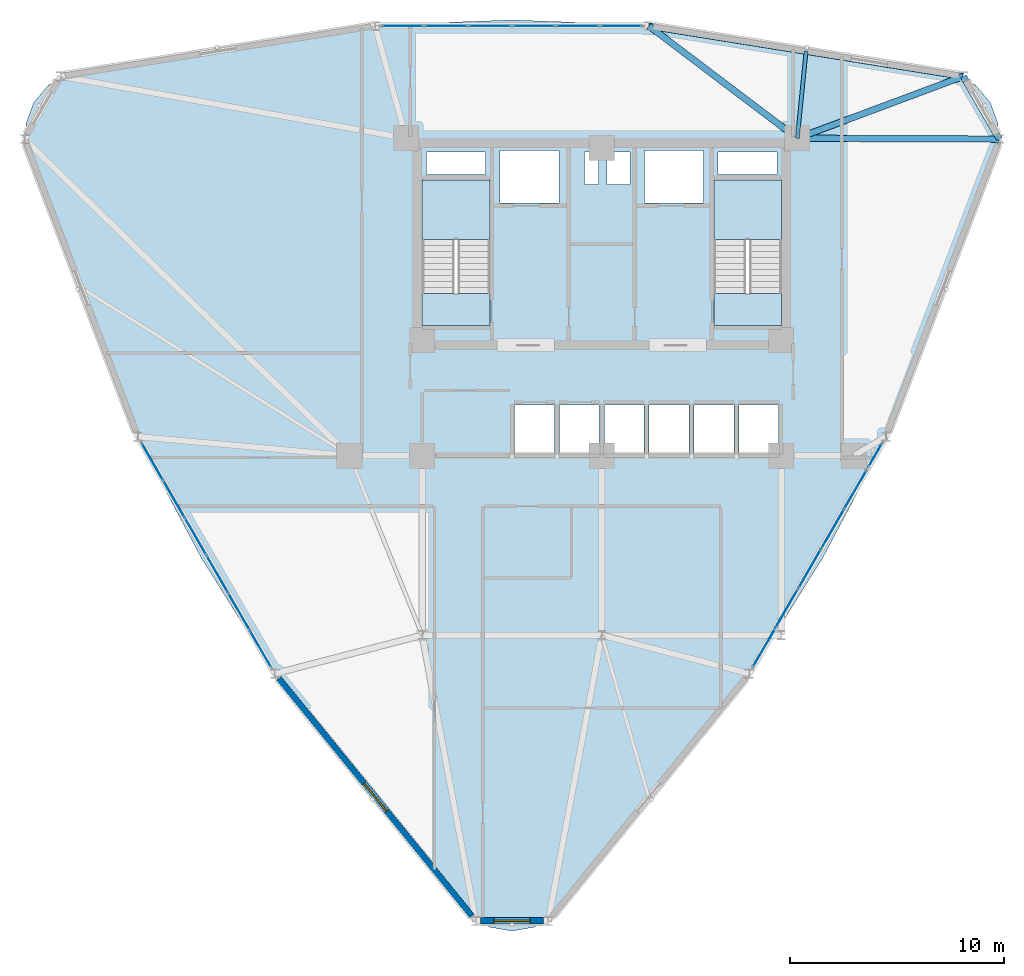
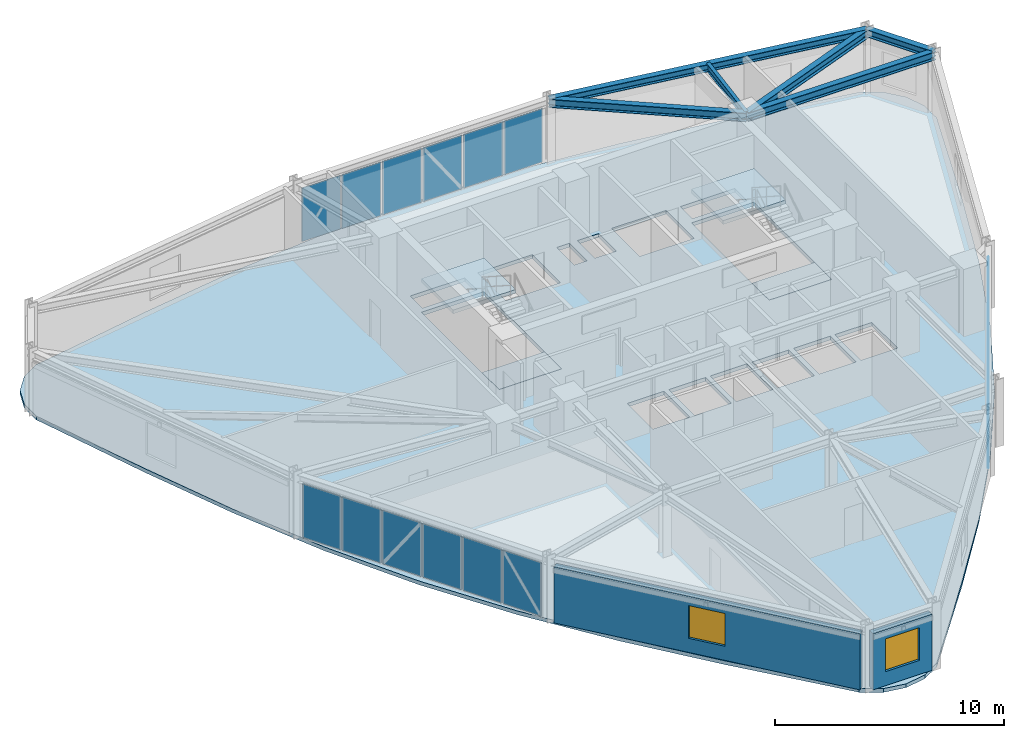
# One storey, part 9 of 15: 18 plates, 6 beams, 5 slabs, 2 walls, 2 windows, 2 openings, 6 elements without a shape of their own.
"""IFC4 building model written with IfcOpenShell, lengths in metres."""

from ifc_helpers import new_model, si_unit, derived_unit, direction, frame, frame_2d, origin, origin_2d, place, context, subcontext, project, spatial, polyline, rectangle, i_section, outline, extrude, source, transform, mapped, material, layer, layer_set, material_profile, profile_set, type_object, element, fill, aggregate, save


model = new_model("IFC4")

# Units and contexts
model_context = context("Model", 3, precision=1e-05, world=origin(), true_north=direction((0.0, 1.0)))
body_context = subcontext(model_context, "Body", "Model", "MODEL_VIEW")
ifc_project = project(units=[si_unit("LENGTHUNIT", "METRE"), si_unit("AREAUNIT", "SQUARE_METRE"), si_unit("VOLUMEUNIT", "CUBIC_METRE"), si_unit("PLANEANGLEUNIT", "RADIAN"), si_unit("MASSUNIT", "GRAM", prefix="KILO"), derived_unit("THERMALTRANSMITTANCEUNIT", [(si_unit("POWERUNIT", "WATT"), 1), (si_unit("LENGTHUNIT", "METRE"), -2), (si_unit("THERMODYNAMICTEMPERATUREUNIT", "KELVIN"), -1)])], contexts=[model_context])

# Site, building, storey
site_placement = place(None, origin())
site = spatial("IfcSite", under=ifc_project, at=site_placement, CompositionType="ELEMENT")
building_placement = place(site_placement, origin())
building = spatial("IfcBuilding", under=site, at=building_placement, Name="Korsvarv Bourse and Concert Hall", CompositionType="ELEMENT")
storey_placement = place(building_placement, frame((0.0, 0.0, 161.39990234375)))
storey = spatial("IfcBuildingStorey", under=building, at=storey_placement, Name="L41", CompositionType="ELEMENT", Elevation=161.39990234375)

# Beams
ifc_material_1 = material(Name="Steel S355", Category="steel")
ifc_material_profile_1 = material_profile(ifc_material_1, i_section(OverallWidth=0.300048828125, OverallDepth=0.39990234375, WebThickness=0.013427734375, FlangeThickness=0.02392578125, FilletRadius=0.02099609375, at=origin_2d()), Name="HEB 400")
ifc_profile_set_1 = profile_set([ifc_material_profile_1], Name="Steel S355")
beam_type_1 = type_object("IfcBeamType", Name="BM-HEB400", PredefinedType="SPANDREL", material=ifc_profile_set_1)
shared_shape_1 = source(origin(), body_context, "Body", "SweptSolid", [
    extrude(i_section(OverallWidth=0.300048828125, OverallDepth=0.39990234375, WebThickness=0.013427734375, FlangeThickness=0.02392578125, FilletRadius=0.02099609375, at=origin_2d()), origin(), (0.0, 0.0, 1.0), 3.391357421875),
])
beam_1_placement = place(storey_placement, frame((54.6142578125, 47.2138671875, 3.2001953125), z_axis=(-0.499971721724, 0.866041729639, 0.0), x_axis=(-0.866041729639, -0.499971721724, 0.0)))
element("IfcBeam", 1, at=beam_1_placement, inside=storey, type_object=beam_type_1, Name="L41 beam B-09", PredefinedType="SPANDREL", context=body_context, shape_type="MappedRepresentation", body=[
    mapped(shared_shape_1, transform((0.0, 0.0, 0.0), scale=1.0)),
])
shared_shape_2 = source(origin(), body_context, "Body", "SweptSolid", [
    extrude(i_section(OverallWidth=0.300048828125, OverallDepth=0.39990234375, WebThickness=0.013427734375, FlangeThickness=0.02392578125, FilletRadius=0.02099609375, at=origin_2d()), origin(), (0.0, 0.0, 1.0), 14.90478515625),
])
beam_2_placement = place(storey_placement, frame((52.918701171875, 50.15087890625, 3.2001953125), z_axis=(-0.987420487458, 0.158116352567, 0.0), x_axis=(-0.158116352567, -0.987420487458, 0.0)))
element("IfcBeam", 2, at=beam_2_placement, inside=storey, type_object=beam_type_1, Name="L41 beam B-09", PredefinedType="SPANDREL", context=body_context, shape_type="MappedRepresentation", body=[
    mapped(shared_shape_2, transform((0.0, 0.0, 0.0), scale=1.0)),
])
ifc_material_profile_2 = material_profile(ifc_material_1, i_section(OverallWidth=0.300048828125, OverallDepth=0.449951171875, WebThickness=0.013916015625, FlangeThickness=0.02587890625, FilletRadius=0.02099609375, at=origin_2d()), Name="HEB 450")
ifc_profile_set_2 = profile_set([ifc_material_profile_2], Name="Steel S355")
beam_type_2 = type_object("IfcBeamType", Name="BM-HEB450", PredefinedType="SPANDREL", material=ifc_profile_set_2)
shared_shape_3 = source(origin(), body_context, "Body", "SweptSolid", [
    extrude(i_section(OverallWidth=0.300048828125, OverallDepth=0.449951171875, WebThickness=0.013916015625, FlangeThickness=0.02587890625, FilletRadius=0.02099609375, at=origin_2d()), origin(), (0.0, 0.0, 1.0), 9.46435546875),
])
beam_3_placement = place(storey_placement, frame((54.6142578125, 47.2138671875, 3.175048828125), z_axis=(-0.999992712363, 0.003817750643, 0.0), x_axis=(-0.003817750643, -0.999992712363, 0.0)))
element("IfcBeam", 3, at=beam_3_placement, inside=storey, type_object=beam_type_2, Name="L41 beam B-08", PredefinedType="SPANDREL", context=body_context, shape_type="MappedRepresentation", body=[
    mapped(shared_shape_3, transform((0.0, 0.0, 0.0), scale=1.0)),
])
shared_shape_4 = source(origin(), body_context, "Body", "SweptSolid", [
    extrude(i_section(OverallWidth=0.300048828125, OverallDepth=0.449951171875, WebThickness=0.013916015625, FlangeThickness=0.02587890625, FilletRadius=0.02099609375, at=origin_2d()), origin(), (0.0, 0.0, 1.0), 8.292724609375),
])
beam_4_placement = place(storey_placement, frame((52.918701171875, 50.15087890625, 3.175048828125), z_axis=(-0.936820676534, -0.349809977014, 0.0), x_axis=(0.349809977014, -0.936820676534, 0.0)))
element("IfcBeam", 4, at=beam_4_placement, inside=storey, type_object=beam_type_2, Name="L41 beam B-08", PredefinedType="SPANDREL", context=body_context, shape_type="MappedRepresentation", body=[
    mapped(shared_shape_4, transform((0.0, 0.0, 0.0), scale=1.0)),
])
shared_shape_5 = source(origin(), body_context, "Body", "SweptSolid", [
    extrude(i_section(OverallWidth=0.300048828125, OverallDepth=0.449951171875, WebThickness=0.013916015625, FlangeThickness=0.02587890625, FilletRadius=0.02099609375, at=origin_2d()), origin(), (0.0, 0.0, 1.0), 8.71337890625),
])
beam_5_placement = place(storey_placement, frame((38.201416015625, 52.507568359375, 3.175048828125), z_axis=(0.797447559771, -0.603388257604, 0.0), x_axis=(0.603388257604, 0.797447559771, 0.0)))
element("IfcBeam", 5, at=beam_5_placement, inside=storey, type_object=beam_type_2, Name="L41 beam B-08", PredefinedType="SPANDREL", context=body_context, shape_type="MappedRepresentation", body=[
    mapped(shared_shape_5, transform((0.0, 0.0, 0.0), scale=1.0)),
])
ifc_material_profile_3 = material_profile(ifc_material_1, i_section(OverallWidth=0.179931640625, OverallDepth=0.39990234375, WebThickness=0.008544921875, FlangeThickness=0.013427734375, FilletRadius=0.02099609375, at=origin_2d()), Name="IPE 400")
ifc_profile_set_3 = profile_set([ifc_material_profile_3], Name="Steel S355")
beam_type_3 = type_object("IfcBeamType", Name="BM-IPE400", PredefinedType="JOIST", material=ifc_profile_set_3)
shared_shape_6 = source(origin(), body_context, "Body", "SweptSolid", [
    extrude(i_section(OverallWidth=0.179931640625, OverallDepth=0.39990234375, WebThickness=0.008544921875, FlangeThickness=0.013427734375, FilletRadius=0.02099609375, at=origin_2d()), origin(), (0.0, 0.0, 1.0), 4.099609375),
])
beam_6_placement = place(storey_placement, frame((45.56005859375, 51.3291015625, 3.2001953125), z_axis=(-0.100046151544, -0.994982797621, 0.0), x_axis=(0.994982797621, -0.100046151544, 0.0)))
element("IfcBeam", 6, at=beam_6_placement, inside=storey, type_object=beam_type_3, Name="L41 beam J-05", PredefinedType="JOIST", context=body_context, shape_type="MappedRepresentation", body=[
    mapped(shared_shape_6, transform((0.0, 0.0, 0.0), scale=1.0)),
])

# Slabs
ifc_material_2 = material(Name="Precast concrete C45/55", Category="concrete")
ifc_layer_1 = layer(ifc_material_2, 0.199951171875)
ifc_layer_set_1 = layer_set([ifc_layer_1], Name="Precast concrete C45/55")
slab_type_1 = type_object("IfcSlabType", Name="SLB-FLND-T", PredefinedType="LANDING", material=ifc_layer_set_1)
slab_1_placement = place(storey_placement, frame((0.0, 0.0, -0.199951171875)))
element("IfcSlab", 7, at=slab_1_placement, inside=storey, type_object=slab_type_1, Name="L41 Stair ST-T1 Floor Landing Slab", PredefinedType="LANDING", context=body_context, shape_type="SweptSolid", body=[
    extrude(outline(polyline([(30.760009765625, 38.5), (30.760009765625, 40.0), (27.60009765625, 40.0), (27.60009765625, 38.5), (30.760009765625, 38.5)])), origin(), (0.0, 0.0, 1.0), 0.199951171875),
])
slab_2_placement = place(storey_placement, frame((0.0, 0.0, -0.199951171875)))
element("IfcSlab", 8, at=slab_2_placement, inside=storey, type_object=slab_type_1, Name="L41 Stair ST-T2 Floor Landing Slab", PredefinedType="LANDING", context=body_context, shape_type="SweptSolid", body=[
    extrude(outline(polyline([(44.39990234375, 38.5), (44.39990234375, 40.0), (41.239990234375, 40.0), (41.239990234375, 38.5), (44.39990234375, 38.5)])), origin(), (0.0, 0.0, 1.0), 0.199951171875),
])

# Stair, slab
stair_type = type_object("IfcStairType", Name="STR-TYPE-04", PredefinedType="HALF_TURN_STAIR", material=ifc_material_2)
stair_1_placement = place(storey_placement, origin())
stair_1 = element("IfcStair", 9, at=stair_1_placement, inside=storey, type_object=stair_type, Name="L41 Tower West Exit Stair ST-T1", PredefinedType="HALF_TURN_STAIR")
ifc_layer_2 = layer(ifc_material_2, 0.199951171875)
ifc_layer_set_2 = layer_set([ifc_layer_2], Name="Precast concrete C45/55")
slab_type_2 = type_object("IfcSlabType", Name="SLB-ST-LND", PredefinedType="LANDING", material=ifc_layer_set_2)
slab_3_placement = place(storey_placement, frame((0.0, 0.0, 1.60009765625)))
slab_3 = element("IfcSlab", 10, at=slab_3_placement, type_object=slab_type_2, Name="ST-T1 landing 1", PredefinedType="LANDING", context=body_context, shape_type="SweptSolid", body=[
    extrude(outline(polyline([(30.760009765625, 42.52001953125), (30.760009765625, 45.300048828125), (27.60009765625, 45.300048828125), (27.60009765625, 42.52001953125), (30.760009765625, 42.52001953125)])), origin(), (0.0, 0.0, 1.0), 0.199951171875),
])
aggregate(stair_1, [slab_3])

stair_2_placement = place(storey_placement, origin())
stair_2 = element("IfcStair", 11, at=stair_2_placement, inside=storey, type_object=stair_type, Name="L41 Tower East Exit Stair ST-T2", PredefinedType="HALF_TURN_STAIR")
slab_4_placement = place(storey_placement, frame((0.0, 0.0, 1.60009765625)))
slab_4 = element("IfcSlab", 12, at=slab_4_placement, type_object=slab_type_2, Name="ST-T2 landing 1", PredefinedType="LANDING", context=body_context, shape_type="SweptSolid", body=[
    extrude(outline(polyline([(44.39990234375, 42.52001953125), (44.39990234375, 45.300048828125), (41.239990234375, 45.300048828125), (41.239990234375, 42.52001953125), (44.39990234375, 42.52001953125)])), origin(), (0.0, 0.0, 1.0), 0.199951171875),
])
aggregate(stair_2, [slab_4])

# Slab
ifc_material_3 = material(Name="Concrete C45/55", Category="concrete")
ifc_layer_3 = layer(ifc_material_3, 0.199951171875)
ifc_layer_set_3 = layer_set([ifc_layer_3], Name="Concrete C45/55")
slab_type_3 = type_object("IfcSlabType", Name="SLB-TW2", PredefinedType="FLOOR", material=ifc_layer_set_3)
slab_5_placement = place(storey_placement, frame((0.0, 0.0, -0.199951171875)))
element("IfcSlab", 13, at=slab_5_placement, inside=storey, type_object=slab_type_3, Name="L41 tower structural floor slab", PredefinedType="FLOOR", context=body_context, shape_type="SweptSolid", body=[
    extrude(outline(polyline([(54.127197265625, 45.72216796875), (52.434326171875, 41.0146484375), (50.63232421875, 36.395263671875), (48.622314453125, 31.916015625), (46.336669921875, 27.607421875), (43.748046875, 23.473388671875), (40.8740234375, 19.4931640625), (37.7744140625, 15.622802734375), (34.544189453125, 11.802978515625), (34.5419921875, 11.80029296875), (33.760986328125, 10.869873046875), (32.843505859375, 10.340087890625), (31.800048828125, 10.156005859375), (30.756591796875, 10.340087890625), (29.839111328125, 10.869873046875), (29.05810546875, 11.80029296875), (29.055908203125, 11.802978515625), (25.82568359375, 15.622802734375), (22.72607421875, 19.4931640625), (19.851806640625, 23.473388671875), (17.263427734375, 27.607421875), (14.977783203125, 31.916015625), (12.967529296875, 36.395263671875), (11.16552734375, 41.0146484375), (9.47265625, 45.72216796875), (9.471435546875, 45.725341796875), (9.05615234375, 46.86669921875), (9.05615234375, 47.92626953125), (9.41845703125, 48.921875), (10.099609375, 49.733642578125), (11.01708984375, 50.263427734375), (12.21337890625, 50.474365234375), (12.216796875, 50.474853515625), (17.139892578125, 51.362548828125), (22.04150390625, 52.11181640625), (26.925537109375, 52.610595703125), (31.800048828125, 52.785400390625), (36.67431640625, 52.610595703125), (41.558349609375, 52.11181640625), (46.4599609375, 51.362548828125), (51.38330078125, 50.474853515625), (51.38671875, 50.474365234375), (52.5830078125, 50.263427734375), (53.50048828125, 49.733642578125), (54.181396484375, 48.921875), (54.5439453125, 47.92626953125), (54.5439453125, 46.86669921875), (54.12841796875, 45.725341796875), (54.127197265625, 45.72216796875)]), holes=[polyline([(30.760009765625, 38.5), (30.760009765625, 45.300048828125), (27.60009765625, 45.300048828125), (27.60009765625, 38.5), (30.760009765625, 38.5)]), polyline([(44.39990234375, 38.5), (44.39990234375, 45.300048828125), (41.239990234375, 45.300048828125), (41.239990234375, 38.5), (44.39990234375, 38.5)]), polyline([(31.239990234375, 44.219970703125), (34.0, 44.219970703125), (34.0, 46.679931640625), (31.239990234375, 46.679931640625), (31.239990234375, 44.219970703125)]), polyline([(38.0, 44.219970703125), (40.760009765625, 44.219970703125), (40.760009765625, 46.679931640625), (38.0, 46.679931640625), (38.0, 44.219970703125)]), polyline([(31.919921875, 32.52001953125), (33.780029296875, 32.52001953125), (33.780029296875, 34.780029296875), (31.919921875, 34.780029296875), (31.919921875, 32.52001953125)]), polyline([(34.02001953125, 32.52001953125), (35.8798828125, 32.52001953125), (35.8798828125, 34.780029296875), (34.02001953125, 34.780029296875), (34.02001953125, 32.52001953125)]), polyline([(36.1201171875, 32.52001953125), (37.97998046875, 32.52001953125), (37.97998046875, 34.780029296875), (36.1201171875, 34.780029296875), (36.1201171875, 32.52001953125)]), polyline([(38.219970703125, 32.52001953125), (40.080078125, 32.52001953125), (40.080078125, 34.780029296875), (38.219970703125, 34.780029296875), (38.219970703125, 32.52001953125)]), polyline([(40.320068359375, 32.52001953125), (42.179931640625, 32.52001953125), (42.179931640625, 34.780029296875), (40.320068359375, 34.780029296875), (40.320068359375, 32.52001953125)]), polyline([(42.419921875, 32.52001953125), (44.280029296875, 32.52001953125), (44.280029296875, 34.780029296875), (42.419921875, 34.780029296875), (42.419921875, 32.52001953125)]), polyline([(27.800048828125, 45.56005859375), (30.56005859375, 45.56005859375), (30.56005859375, 46.6201171875), (27.800048828125, 46.6201171875), (27.800048828125, 45.56005859375)]), polyline([(41.43994140625, 45.56005859375), (44.199951171875, 45.56005859375), (44.199951171875, 46.6201171875), (41.43994140625, 46.6201171875), (41.43994140625, 45.56005859375)]), polyline([(35.199951171875, 45.080078125), (35.840087890625, 45.080078125), (35.840087890625, 46.6201171875), (35.199951171875, 46.6201171875), (35.199951171875, 45.080078125)]), polyline([(36.239990234375, 45.080078125), (37.320068359375, 45.080078125), (37.320068359375, 46.6201171875), (36.239990234375, 46.6201171875), (36.239990234375, 45.080078125)])]), origin(), (0.0, 0.0, 1.0), 0.199951171875),
])

# Curtain wall, plates
ifc_material_4 = material(Name="Anodised aluminium and triple low-E glazing", Category="glass")
ifc_layer_4 = layer(ifc_material_4, 0.2099609375)
ifc_layer_set_4 = layer_set([ifc_layer_4], Name="Anodised aluminium and triple low-E glazing")
curtain_wall_type = type_object("IfcCurtainWallType", Name="CW-SYS-2", PredefinedType="NOTDEFINED", material=ifc_layer_set_4)
curtain_wall_1_placement = place(storey_placement, origin())
curtain_wall_1 = element("IfcCurtainWall", 14, at=curtain_wall_1_placement, inside=storey, type_object=curtain_wall_type, Name="L41 CW2 curtain wall CW-L41-F03", PredefinedType="NOTDEFINED")
ifc_material_5 = material(Name="Tempered triple insulated low-E architectural glass", Category="glass")
ifc_layer_5 = layer(ifc_material_5, 0.0380859375)
ifc_layer_set_5 = layer_set([ifc_layer_5], Name="Tempered triple insulated low-E architectural glass")
plate_type_1 = type_object("IfcPlateType", Name="CWP-VIS2", PredefinedType="CURTAIN_PANEL", material=ifc_layer_set_5)
shared_shape_7 = source(origin(), body_context, "Body", "SweptSolid", [
    extrude(rectangle(XDim=1.943603515625, YDim=0.0380859375, at=origin_2d()), origin(), (0.0, 0.0, 1.0), 2.8701171875),
])
plate_1_placement = place(storey_placement, frame((36.90380859375, 52.507568359375, 0.06494140625), z_axis=(0.0, 0.0, 1.0), x_axis=(-1.0, 0.0, 0.0)))
plate_1 = element("IfcPlate", 15, at=plate_1_placement, type_object=plate_type_1, Name="CW2 faceted panel 1.1", PredefinedType="CURTAIN_PANEL", context=body_context, shape_type="MappedRepresentation", body=[
    mapped(shared_shape_7, transform((0.0, 0.0, 0.0), scale=1.0)),
])
shared_shape_8 = source(origin(), body_context, "Body", "SweptSolid", [
    extrude(rectangle(XDim=1.978515625, YDim=0.0380859375, at=origin_2d()), origin(), (0.0, 0.0, 1.0), 2.8701171875),
])
plate_2_placement = place(storey_placement, frame((34.872802734375, 52.507568359375, 0.06494140625), z_axis=(0.0, 0.0, 1.0), x_axis=(-1.0, 0.0, 0.0)))
plate_2 = element("IfcPlate", 16, at=plate_2_placement, type_object=plate_type_1, Name="CW2 faceted panel 2.1", PredefinedType="CURTAIN_PANEL", context=body_context, shape_type="MappedRepresentation", body=[
    mapped(shared_shape_8, transform((0.0, 0.0, 0.0), scale=1.0)),
])
plate_3_placement = place(storey_placement, frame((30.775634765625, 52.507568359375, 0.06494140625), z_axis=(0.0, 0.0, 1.0), x_axis=(-1.0, 0.0, 0.0)))
plate_3 = element("IfcPlate", 17, at=plate_3_placement, type_object=plate_type_1, Name="CW2 faceted panel 4.1", PredefinedType="CURTAIN_PANEL", context=body_context, shape_type="MappedRepresentation", body=[
    mapped(shared_shape_8, transform((0.0, 0.0, 0.0), scale=1.0)),
])
plate_4_placement = place(storey_placement, frame((28.727294921875, 52.507568359375, 0.06494140625), z_axis=(0.0, 0.0, 1.0), x_axis=(-1.0, 0.0, 0.0)))
plate_4 = element("IfcPlate", 18, at=plate_4_placement, type_object=plate_type_1, Name="CW2 faceted panel 5.1", PredefinedType="CURTAIN_PANEL", context=body_context, shape_type="MappedRepresentation", body=[
    mapped(shared_shape_8, transform((0.0, 0.0, 0.0), scale=1.0)),
])
ifc_material_6 = material(Name="Insulated spandrel glass", Category="glass")
ifc_layer_6 = layer(ifc_material_6, 0.031982421875)
ifc_layer_set_6 = layer_set([ifc_layer_6], Name="Insulated spandrel glass")
plate_type_2 = type_object("IfcPlateType", Name="CWP-SPD1", PredefinedType="CURTAIN_PANEL", material=ifc_layer_set_6)
shared_shape_9 = source(origin(), body_context, "Body", "SweptSolid", [
    extrude(rectangle(XDim=1.978515625, YDim=0.031982421875, at=origin_2d()), origin(), (0.0, 0.0, 1.0), 2.8701171875),
])
plate_5_placement = place(storey_placement, frame((32.82421875, 52.507568359375, 0.06494140625), z_axis=(0.0, 0.0, 1.0), x_axis=(-1.0, 0.0, 0.0)))
plate_5 = element("IfcPlate", 19, at=plate_5_placement, type_object=plate_type_2, Name="CW2 spandrel shadow-box panel 3.1", PredefinedType="CURTAIN_PANEL", context=body_context, shape_type="MappedRepresentation", body=[
    mapped(shared_shape_9, transform((0.0, 0.0, 0.0), scale=1.0)),
])
shared_shape_10 = source(origin(), body_context, "Body", "SweptSolid", [
    extrude(rectangle(XDim=1.943603515625, YDim=0.031982421875, at=origin_2d()), origin(), (0.0, 0.0, 1.0), 2.8701171875),
])
plate_6_placement = place(storey_placement, frame((26.6962890625, 52.507568359375, 0.06494140625), z_axis=(0.0, 0.0, 1.0), x_axis=(-1.0, 0.0, 0.0)))
plate_6 = element("IfcPlate", 20, at=plate_6_placement, type_object=plate_type_2, Name="CW2 spandrel shadow-box panel 6.1", PredefinedType="CURTAIN_PANEL", context=body_context, shape_type="MappedRepresentation", body=[
    mapped(shared_shape_10, transform((0.0, 0.0, 0.0), scale=1.0)),
])
aggregate(curtain_wall_1, [plate_1, plate_2, plate_5, plate_3, plate_4, plate_6])

curtain_wall_2_placement = place(storey_placement, origin())
curtain_wall_2 = element("IfcCurtainWall", 21, at=curtain_wall_2_placement, inside=storey, type_object=curtain_wall_type, Name="L41 CW2 curtain wall CW-L41-F07", PredefinedType="NOTDEFINED")
shared_shape_11 = source(origin(), body_context, "Body", "SweptSolid", [
    extrude(rectangle(XDim=1.92578125, YDim=0.0380859375, at=origin_2d()), origin(), (0.0, 0.0, 1.0), 2.8701171875),
])
plate_7_placement = place(storey_placement, frame((14.97412109375, 32.1279296875, 0.06494140625), z_axis=(0.0, 0.0, 1.0), x_axis=(0.500002343759, -0.86602405061, 0.0)))
plate_7 = element("IfcPlate", 22, at=plate_7_placement, type_object=plate_type_1, Name="CW2 faceted panel 1.1", PredefinedType="CURTAIN_PANEL", context=body_context, shape_type="MappedRepresentation", body=[
    mapped(shared_shape_11, transform((0.0, 0.0, 0.0), scale=1.0)),
])
shared_shape_12 = source(origin(), body_context, "Body", "SweptSolid", [
    extrude(rectangle(XDim=1.9609375, YDim=0.0380859375, at=origin_2d()), origin(), (0.0, 0.0, 1.0), 2.8701171875),
])
plate_8_placement = place(storey_placement, frame((15.98095703125, 30.384521484375, 0.06494140625), z_axis=(0.0, 0.0, 1.0), x_axis=(0.500002343759, -0.86602405061, 0.0)))
plate_8 = element("IfcPlate", 23, at=plate_8_placement, type_object=plate_type_1, Name="CW2 faceted panel 2.1", PredefinedType="CURTAIN_PANEL", context=body_context, shape_type="MappedRepresentation", body=[
    mapped(shared_shape_12, transform((0.0, 0.0, 0.0), scale=1.0)),
])
plate_9_placement = place(storey_placement, frame((18.01171875, 26.86669921875, 0.06494140625), z_axis=(0.0, 0.0, 1.0), x_axis=(0.500002343759, -0.86602405061, 0.0)))
plate_9 = element("IfcPlate", 24, at=plate_9_placement, type_object=plate_type_1, Name="CW2 faceted panel 4.1", PredefinedType="CURTAIN_PANEL", context=body_context, shape_type="MappedRepresentation", body=[
    mapped(shared_shape_12, transform((0.0, 0.0, 0.0), scale=1.0)),
])
plate_10_placement = place(storey_placement, frame((19.02734375, 25.10791015625, 0.06494140625), z_axis=(0.0, 0.0, 1.0), x_axis=(0.500002343759, -0.86602405061, 0.0)))
plate_10 = element("IfcPlate", 25, at=plate_10_placement, type_object=plate_type_1, Name="CW2 faceted panel 5.1", PredefinedType="CURTAIN_PANEL", context=body_context, shape_type="MappedRepresentation", body=[
    mapped(shared_shape_12, transform((0.0, 0.0, 0.0), scale=1.0)),
])
shared_shape_13 = source(origin(), body_context, "Body", "SweptSolid", [
    extrude(rectangle(XDim=1.9609375, YDim=0.031982421875, at=origin_2d()), origin(), (0.0, 0.0, 1.0), 2.8701171875),
])
plate_11_placement = place(storey_placement, frame((16.996337890625, 28.62548828125, 0.06494140625), z_axis=(0.0, 0.0, 1.0), x_axis=(0.500002343759, -0.86602405061, 0.0)))
plate_11 = element("IfcPlate", 26, at=plate_11_placement, type_object=plate_type_2, Name="CW2 spandrel shadow-box panel 3.1", PredefinedType="CURTAIN_PANEL", context=body_context, shape_type="MappedRepresentation", body=[
    mapped(shared_shape_13, transform((0.0, 0.0, 0.0), scale=1.0)),
])
shared_shape_14 = source(origin(), body_context, "Body", "SweptSolid", [
    extrude(rectangle(XDim=1.92578125, YDim=0.031982421875, at=origin_2d()), origin(), (0.0, 0.0, 1.0), 2.8701171875),
])
plate_12_placement = place(storey_placement, frame((20.033935546875, 23.3642578125, 0.06494140625), z_axis=(0.0, 0.0, 1.0), x_axis=(0.500002343759, -0.86602405061, 0.0)))
plate_12 = element("IfcPlate", 27, at=plate_12_placement, type_object=plate_type_2, Name="CW2 spandrel shadow-box panel 6.1", PredefinedType="CURTAIN_PANEL", context=body_context, shape_type="MappedRepresentation", body=[
    mapped(shared_shape_14, transform((0.0, 0.0, 0.0), scale=1.0)),
])
aggregate(curtain_wall_2, [plate_7, plate_8, plate_11, plate_9, plate_10, plate_12])

curtain_wall_3_placement = place(storey_placement, origin())
curtain_wall_3 = element("IfcCurtainWall", 28, at=curtain_wall_3_placement, inside=storey, type_object=curtain_wall_type, Name="L41 CW2 curtain wall CW-L41-F11-1", PredefinedType="NOTDEFINED")
shared_shape_15 = source(origin(), body_context, "Body", "SweptSolid", [
    extrude(rectangle(XDim=2.0380859375, YDim=0.0380859375, at=origin_2d()), origin(), (0.0, 0.0, 1.0), 2.8701171875),
])
plate_13_placement = place(storey_placement, frame((43.59423828125, 23.4130859375, 0.06494140625), z_axis=(0.0, 0.0, 1.0), x_axis=(0.499998182496, 0.866026453118, 0.0)))
plate_13 = element("IfcPlate", 29, at=plate_13_placement, type_object=plate_type_1, Name="CW2 faceted panel 1.1", PredefinedType="CURTAIN_PANEL", context=body_context, shape_type="MappedRepresentation", body=[
    mapped(shared_shape_15, transform((0.0, 0.0, 0.0), scale=1.0)),
])
plate_14_placement = place(storey_placement, frame((47.863037109375, 30.806884765625, 0.06494140625), z_axis=(0.0, 0.0, 1.0), x_axis=(0.499998182496, 0.866026453118, 0.0)))
plate_14 = element("IfcPlate", 30, at=plate_14_placement, type_object=plate_type_1, Name="CW2 faceted panel 5.1", PredefinedType="CURTAIN_PANEL", context=body_context, shape_type="MappedRepresentation", body=[
    mapped(shared_shape_15, transform((0.0, 0.0, 0.0), scale=1.0)),
])
shared_shape_16 = source(origin(), body_context, "Body", "SweptSolid", [
    extrude(rectangle(XDim=2.0732421875, YDim=0.0380859375, at=origin_2d()), origin(), (0.0, 0.0, 1.0), 2.8701171875),
])
plate_15_placement = place(storey_placement, frame((44.656982421875, 25.25390625, 0.06494140625), z_axis=(0.0, 0.0, 1.0), x_axis=(0.499998182496, 0.866026453118, 0.0)))
plate_15 = element("IfcPlate", 31, at=plate_15_placement, type_object=plate_type_1, Name="CW2 faceted panel 2.1", PredefinedType="CURTAIN_PANEL", context=body_context, shape_type="MappedRepresentation", body=[
    mapped(shared_shape_16, transform((0.0, 0.0, 0.0), scale=1.0)),
])
plate_16_placement = place(storey_placement, frame((46.800048828125, 28.9658203125, 0.06494140625), z_axis=(0.0, 0.0, 1.0), x_axis=(0.499998182496, 0.866026453118, 0.0)))
plate_16 = element("IfcPlate", 32, at=plate_16_placement, type_object=plate_type_1, Name="CW2 faceted panel 4.1", PredefinedType="CURTAIN_PANEL", context=body_context, shape_type="MappedRepresentation", body=[
    mapped(shared_shape_16, transform((0.0, 0.0, 0.0), scale=1.0)),
])
shared_shape_17 = source(origin(), body_context, "Body", "SweptSolid", [
    extrude(rectangle(XDim=2.0732421875, YDim=0.031982421875, at=origin_2d()), origin(), (0.0, 0.0, 1.0), 2.8701171875),
])
plate_17_placement = place(storey_placement, frame((45.728515625, 27.10986328125, 0.06494140625), z_axis=(0.0, 0.0, 1.0), x_axis=(0.499998182496, 0.866026453118, 0.0)))
plate_17 = element("IfcPlate", 33, at=plate_17_placement, type_object=plate_type_2, Name="CW2 spandrel shadow-box panel 3.1", PredefinedType="CURTAIN_PANEL", context=body_context, shape_type="MappedRepresentation", body=[
    mapped(shared_shape_17, transform((0.0, 0.0, 0.0), scale=1.0)),
])
aggregate(curtain_wall_3, [plate_13, plate_15, plate_17, plate_16, plate_14])

# Curtain wall, plate
curtain_wall_4_placement = place(storey_placement, origin())
curtain_wall_4 = element("IfcCurtainWall", 34, at=curtain_wall_4_placement, inside=storey, type_object=curtain_wall_type, Name="L41 CW2 curtain wall CW-L41-F11-2", PredefinedType="NOTDEFINED")
shared_shape_18 = source(origin(), body_context, "Body", "SweptSolid", [
    extrude(rectangle(XDim=1.24462890625, YDim=0.031982421875, at=origin_2d()), origin(), (0.0, 0.0, 1.0), 2.8701171875),
])
plate_18_placement = place(storey_placement, frame((48.796142578125, 32.423095703125, 0.06494140625), z_axis=(0.0, 0.0, 1.0), x_axis=(0.500030891693, 0.866007567723, 0.0)))
plate_18 = element("IfcPlate", 35, at=plate_18_placement, type_object=plate_type_2, Name="CW2 spandrel shadow-box panel 1.1", PredefinedType="CURTAIN_PANEL", context=body_context, shape_type="MappedRepresentation", body=[
    mapped(shared_shape_18, transform((0.0, 0.0, 0.0), scale=1.0)),
])
aggregate(curtain_wall_4, [plate_18])

# Wall, opening, window
ifc_material_7 = material(Name="Precast concrete C45/55 with terracotta rainscreen", Category="concrete")
ifc_layer_7 = layer(ifc_material_7, 0.300048828125)
ifc_layer_set_7 = layer_set([ifc_layer_7], Name="Precast concrete C45/55 with terracotta rainscreen")
wall_type_1 = type_object("IfcWallType", Name="WL-EXT-TC1", PredefinedType="SOLIDWALL", material=ifc_layer_set_7)
wall_1_placement = place(storey_placement, frame((30.315185546875, 10.63525390625, 0.0), z_axis=(0.0, 0.0, 1.0), x_axis=(1.0, 0.0, 0.0)))
wall_1 = element("IfcWall", 36, at=wall_1_placement, inside=storey, type_object=wall_type_1, Name="L41 terracotta exterior wall EW-L41-B09", PredefinedType="SOLIDWALL", context=body_context, shape_type="SweptSolid", body=[
    extrude(rectangle(XDim=2.969482421875, YDim=0.300048828125, at=frame_2d((1.48486328125, 0.0))), origin(), (0.0, 0.0, 1.0), 3.0),
])
opening_1_placement = place(wall_1_placement, frame((0.634765625, 0.0, 0.75)))
opening_1 = element("IfcOpeningElement", 37, at=opening_1_placement, cuts=wall_1, Name="Opening W-01", PredefinedType="OPENING", context=body_context, shape_type="SweptSolid", body=[
    extrude(rectangle(XDim=1.699951171875, YDim=1.75, at=frame_2d((0.85009765625, 0.875))), frame((0.0, 0.16015625, 0.0), z_axis=(0.0, -1.0, 0.0), x_axis=(1.0, 0.0, 0.0)), (0.0, 0.0, 1.0), 0.320068359375),
])
ifc_material_8 = material(Name="Thermally broken aluminium frame with triple low-E glass", Category="glass")
window_type = type_object("IfcWindowType", Name="WIN-TW1", PartitioningType="SINGLE_PANEL", PredefinedType="WINDOW", material=ifc_material_8)
window_1_placement = place(opening_1_placement, origin())
window_1 = element("IfcWindow", 38, at=window_1_placement, inside=storey, type_object=window_type, Name="L41 punched facade window W-01", OverallHeight=1.75, OverallWidth=1.699951171875, PartitioningType="SINGLE_PANEL", PredefinedType="WINDOW", context=body_context, shape_type="SweptSolid", body=[
    extrude(rectangle(XDim=1.699951171875, YDim=1.75, at=frame_2d((0.85009765625, 0.875))), frame((0.0, 0.030029296875, 0.0), z_axis=(0.0, -1.0, 0.0), x_axis=(1.0, 0.0, 0.0)), (0.0, 0.0, 1.0), 0.06005859375),
])
fill(opening_1, window_1)

ifc_material_9 = material(Name="Precast concrete C45/55 with fluted terracotta pier", Category="concrete")
ifc_layer_8 = layer(ifc_material_9, 0.280029296875)
ifc_layer_set_8 = layer_set([ifc_layer_8], Name="Precast concrete C45/55 with fluted terracotta pier")
wall_type_2 = type_object("IfcWallType", Name="WL-EXT-TC2", PredefinedType="SOLIDWALL", material=ifc_layer_set_8)
wall_2_placement = place(storey_placement, frame((20.885498046875, 21.979736328125, 0.0), z_axis=(0.0, 0.0, 1.0), x_axis=(0.630659963665, -0.776059282678, 0.0)))
wall_2 = element("IfcWall", 39, at=wall_2_placement, inside=storey, type_object=wall_type_2, Name="L41 terracotta exterior wall EW-L41-B08", PredefinedType="SOLIDWALL", context=body_context, shape_type="SweptSolid", body=[
    extrude(rectangle(XDim=14.3310546875, YDim=0.280029296875, at=frame_2d((7.16552734375, 0.0))), origin(), (0.0, 0.0, 1.0), 3.0),
])
opening_2_placement = place(wall_2_placement, frame((6.315673828125, 0.0, 0.75)))
opening_2 = element("IfcOpeningElement", 40, at=opening_2_placement, cuts=wall_2, Name="Opening W-01", PredefinedType="OPENING", context=body_context, shape_type="SweptSolid", body=[
    extrude(rectangle(XDim=1.699951171875, YDim=1.75, at=frame_2d((0.85009765625, 0.875))), frame((0.0, 0.14990234375, 0.0), z_axis=(0.0, -1.0, 0.0), x_axis=(1.0, 0.0, 0.0)), (0.0, 0.0, 1.0), 0.300048828125),
])
window_2_placement = place(opening_2_placement, origin())
window_2 = element("IfcWindow", 41, at=window_2_placement, inside=storey, type_object=window_type, Name="L41 punched facade window W-01", OverallHeight=1.75, OverallWidth=1.699951171875, PartitioningType="SINGLE_PANEL", PredefinedType="WINDOW", context=body_context, shape_type="SweptSolid", body=[
    extrude(rectangle(XDim=1.699951171875, YDim=1.75, at=frame_2d((0.85009765625, 0.875))), frame((0.0, 0.030029296875, 0.0), z_axis=(0.0, -1.0, 0.0), x_axis=(1.0, 0.0, 0.0)), (0.0, 0.0, 1.0), 0.06005859375),
])
fill(opening_2, window_2)

save(model, "model.ifc")
